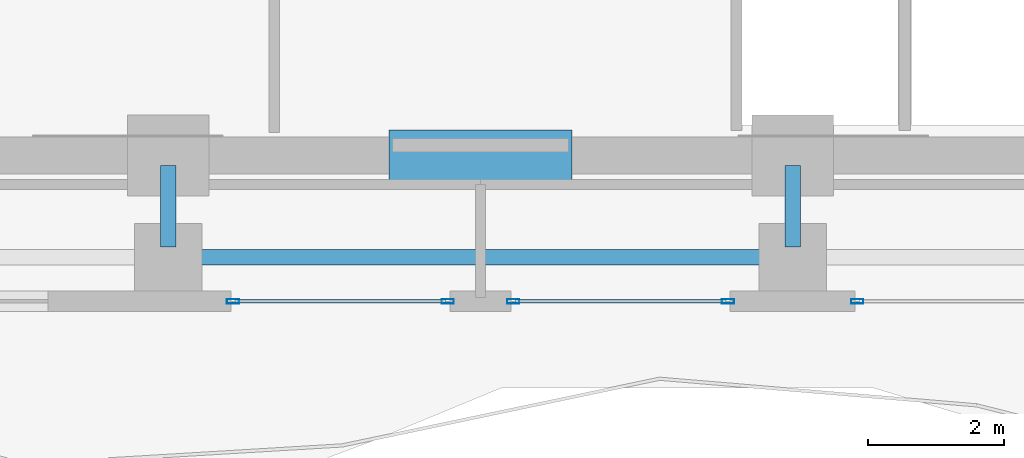
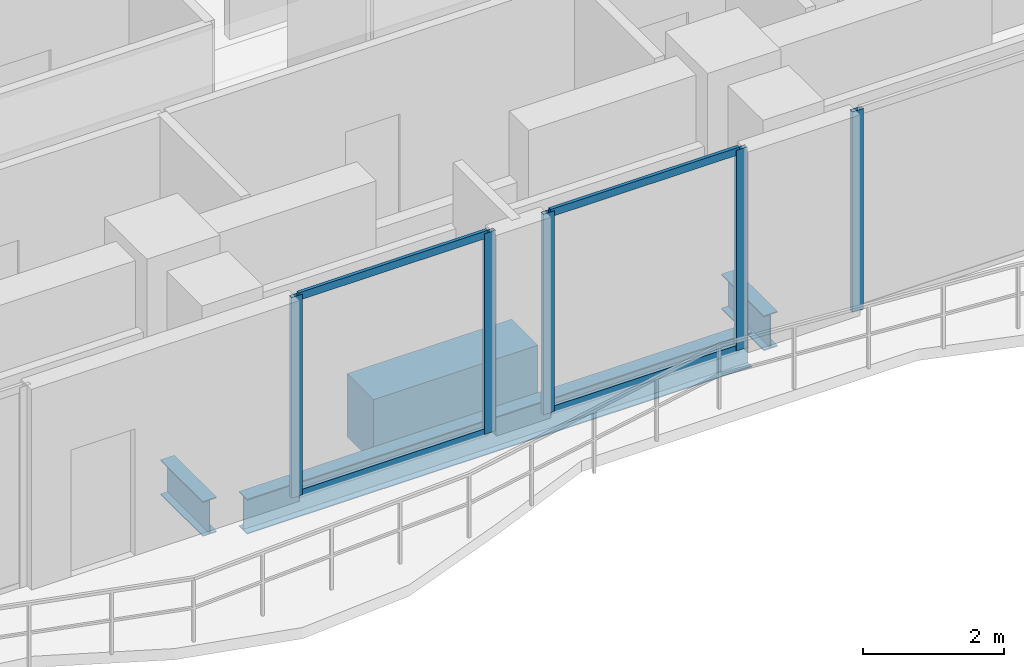
# One storey, part 4 of 24: 9 members, 4 beams, 3 elements without a shape of their own.
"""IFC4 building model written with IfcOpenShell, lengths in metres."""

from ifc_helpers import new_model, si_unit, direction, frame, origin, origin_2d, place, context, subcontext, project, spatial, rectangle, hollow_rectangle, i_section, extrude, material, layer, layer_set, material_profile, profile_set, type_object, element, aggregate, save


model = new_model("IFC4")

# Units and contexts
model_context = context("Model", 3, precision=1e-05, world=origin(), true_north=direction((0.0, 1.0)))
body_context = subcontext(model_context, "Body", "Model", "MODEL_VIEW")
ifc_project = project(units=[si_unit("LENGTHUNIT", "METRE"), si_unit("AREAUNIT", "SQUARE_METRE"), si_unit("VOLUMEUNIT", "CUBIC_METRE"), si_unit("PLANEANGLEUNIT", "RADIAN"), si_unit("MASSUNIT", "GRAM", prefix="KILO")], contexts=[model_context])

# Site, building, storey
site_placement = place(None, origin())
site = spatial("IfcSite", under=ifc_project, at=site_placement, CompositionType="ELEMENT")
building_placement = place(site_placement, origin())
building = spatial("IfcBuilding", under=site, at=building_placement, Name="Zuhayl Quay Hotel", CompositionType="ELEMENT")
storey_placement = place(building_placement, frame((0.0, 0.0, 280.35009765625)))
storey = spatial("IfcBuildingStorey", under=building, at=storey_placement, Name="L71", CompositionType="ELEMENT", Elevation=280.35009765625)

# Beams
ifc_material_1 = material(Name="Steel ASTM A992 Grade 50", Category="steel")
ifc_material_profile_1 = material_profile(ifc_material_1, i_section(OverallWidth=0.22802734375, OverallDepth=0.60693359375, WebThickness=0.01123046875, FlangeThickness=0.017333984375, at=origin_2d()), Name="W24X76")
ifc_profile_set_1 = profile_set([ifc_material_profile_1], Name="Steel ASTM A992 Grade 50")
beam_type_1 = type_object("IfcBeamType", Name="BM_B3_W24X76", PredefinedType="BEAM", material=ifc_profile_set_1)
beam_1_placement = place(storey_placement, frame((-4.139892578125, 0.64990234375, -0.523681640625), z_axis=(1.0, 0.0, 0.0), x_axis=(0.0, 1.0, 0.0)))
element("IfcBeam", 1, at=beam_1_placement, inside=storey, type_object=beam_type_1, Name="L71 Floor Beam RG_L71_02", PredefinedType="BEAM", context=body_context, shape_type="SweptSolid", body=[
    extrude(i_section(OverallWidth=0.22802734375, OverallDepth=0.60693359375, WebThickness=0.01123046875, FlangeThickness=0.017333984375, at=origin_2d()), origin(), (0.0, 0.0, 1.0), 8.27978515625),
])
for number, where, z_axis, x_axis, name in (
    (2, (-4.60009765625, 0.800048828125, -0.523681640625), (0.0, 1.0, 0.0), (-1.0, 0.0, 0.0), "L71 Floor Beam FG_S_L71_2"),
    (3, (4.60009765625, 0.800048828125, -0.523681640625), (0.0, 1.0, 0.0), (-1.0, 0.0, 0.0), "L71 Floor Beam FG_S_L71_3"),
):
    element("IfcBeam", number, at=place(storey_placement, frame(where, z_axis=z_axis, x_axis=x_axis)), inside=storey, type_object=beam_type_1, Name=name, PredefinedType="BEAM", context=body_context, shape_type="SweptSolid", body=[
        extrude(i_section(OverallWidth=0.22802734375, OverallDepth=0.60693359375, WebThickness=0.01123046875, FlangeThickness=0.017333984375, at=origin_2d()), origin(), (0.0, 0.0, 1.0), 1.199951171875),
    ])
ifc_material_2 = material(Name="Concrete C60/75", Category="concrete")
ifc_material_profile_2 = material_profile(ifc_material_2, rectangle(XDim=0.75, YDim=1.10009765625, at=origin_2d()), Name="RC750X1100")
ifc_profile_set_2 = profile_set([ifc_material_profile_2], Name="Concrete C60/75")
beam_type_2 = type_object("IfcBeamType", Name="BM_CB2_RC750", PredefinedType="T_BEAM", material=ifc_profile_set_2)
beam_2_placement = place(storey_placement, frame((-1.35009765625, 2.14990234375, -0.77001953125), z_axis=(1.0, 0.0, 0.0), x_axis=(0.0, 1.0, 0.0)))
element("IfcBeam", 4, at=beam_2_placement, inside=storey, type_object=beam_type_2, Name="L71 Core Coupling Beam South", PredefinedType="T_BEAM", context=body_context, shape_type="SweptSolid", body=[
    extrude(rectangle(XDim=0.75, YDim=1.10009765625, at=origin_2d()), origin(), (0.0, 0.0, 1.0), 2.7001953125),
])

# Curtain wall, member
ifc_material_3 = material(Name="Anodised Aluminium 6063-T6", Category="aluminium")
ifc_layer = layer(ifc_material_3, 0.169921875, Name="Anodised Aluminium 6063-T6", Category="aluminium")
ifc_layer_set = layer_set([ifc_layer], Name="Anodised Aluminium 6063-T6")
curtain_wall_type = type_object("IfcCurtainWallType", Name="CW_SYS_Z4", PredefinedType="USERDEFINED", material=ifc_layer_set)
curtain_wall_1_placement = place(storey_placement, origin())
curtain_wall_1 = element("IfcCurtainWall", 5, at=curtain_wall_1_placement, inside=storey, type_object=curtain_wall_type, Name="L71 Curtain Wall ENV_L71_S_CW1", ObjectType="UNITISED CURTAIN WALL", PredefinedType="USERDEFINED")
ifc_material_4 = material(Name="Black-anodised aluminium 6063-T6", Category="aluminium")
ifc_material_profile_3 = material_profile(ifc_material_4, hollow_rectangle(XDim=0.06494140625, YDim=0.179931640625, WallThickness=0.00341796875, at=origin_2d()), Name="ALU180X65")
ifc_profile_set_3 = profile_set([ifc_material_profile_3], Name="Black-anodised aluminium 6063-T6")
member_type_1 = type_object("IfcMemberType", Name="MB_CW_MUL_180", PredefinedType="MULLION", material=ifc_profile_set_3)
member_1_placement = place(storey_placement, frame((5.552490234375, 0.0, 0.0), z_axis=(0.0, 0.0, 1.0), x_axis=(0.0, -1.0, 0.0)))
member_1 = element("IfcMember", 6, at=member_1_placement, type_object=member_type_1, Name="CW-Z4 mullion 2", PredefinedType="MULLION", context=body_context, shape_type="SweptSolid", body=[
    extrude(hollow_rectangle(XDim=0.06494140625, YDim=0.179931640625, WallThickness=0.00341796875, at=origin_2d()), origin(), (0.0, 0.0, 1.0), 3.47998046875),
])
aggregate(curtain_wall_1, [member_1])

# Curtain wall, members
curtain_wall_2_placement = place(storey_placement, origin())
curtain_wall_2 = element("IfcCurtainWall", 7, at=curtain_wall_2_placement, inside=storey, type_object=curtain_wall_type, Name="L71 Curtain Wall ENV_L71_S_CW2", ObjectType="UNITISED CURTAIN WALL", PredefinedType="USERDEFINED")
member_2_placement = place(storey_placement, frame((3.6474609375, 0.0, 0.0), z_axis=(0.0, 0.0, 1.0), x_axis=(0.0, -1.0, 0.0)))
member_2 = element("IfcMember", 8, at=member_2_placement, type_object=member_type_1, Name="CW-Z4 mullion 1", PredefinedType="MULLION", context=body_context, shape_type="SweptSolid", body=[
    extrude(hollow_rectangle(XDim=0.06494140625, YDim=0.179931640625, WallThickness=0.00341796875, at=origin_2d()), origin(), (0.0, 0.0, 1.0), 3.47998046875),
])
member_3_placement = place(storey_placement, frame((0.482421875, 0.0, 0.0), z_axis=(0.0, 0.0, 1.0), x_axis=(0.0, -1.0, 0.0)))
member_3 = element("IfcMember", 9, at=member_3_placement, type_object=member_type_1, Name="CW-Z4 mullion 2", PredefinedType="MULLION", context=body_context, shape_type="SweptSolid", body=[
    extrude(hollow_rectangle(XDim=0.06494140625, YDim=0.179931640625, WallThickness=0.00341796875, at=origin_2d()), origin(), (0.0, 0.0, 1.0), 3.47998046875),
])

curtain_wall_3_placement = place(storey_placement, origin())
curtain_wall_3 = element("IfcCurtainWall", 10, at=curtain_wall_3_placement, inside=storey, type_object=curtain_wall_type, Name="L71 Curtain Wall ENV_L71_S_CW3", ObjectType="UNITISED CURTAIN WALL", PredefinedType="USERDEFINED")
member_4_placement = place(storey_placement, frame((-0.482421875, 0.0, 0.0), z_axis=(0.0, 0.0, 1.0), x_axis=(0.0, -1.0, 0.0)))
member_4 = element("IfcMember", 11, at=member_4_placement, type_object=member_type_1, Name="CW-Z4 mullion 1", PredefinedType="MULLION", context=body_context, shape_type="SweptSolid", body=[
    extrude(hollow_rectangle(XDim=0.06494140625, YDim=0.179931640625, WallThickness=0.00341796875, at=origin_2d()), origin(), (0.0, 0.0, 1.0), 3.47998046875),
])
member_5_placement = place(storey_placement, frame((-3.6474609375, 0.0, 0.0), z_axis=(0.0, 0.0, 1.0), x_axis=(0.0, -1.0, 0.0)))
member_5 = element("IfcMember", 12, at=member_5_placement, type_object=member_type_1, Name="CW-Z4 mullion 2", PredefinedType="MULLION", context=body_context, shape_type="SweptSolid", body=[
    extrude(hollow_rectangle(XDim=0.06494140625, YDim=0.179931640625, WallThickness=0.00341796875, at=origin_2d()), origin(), (0.0, 0.0, 1.0), 3.47998046875),
])

# Member
ifc_material_profile_4 = material_profile(ifc_material_4, hollow_rectangle(XDim=0.054931640625, YDim=0.1298828125, WallThickness=0.0029296875, at=origin_2d()), Name="ALU130X55")
ifc_profile_set_4 = profile_set([ifc_material_profile_4], Name="Black-anodised aluminium 6063-T6")
member_type_2 = type_object("IfcMemberType", Name="MB_CW_TRN_130", PredefinedType="USERDEFINED", material=ifc_profile_set_4)
member_6_placement = place(storey_placement, frame((3.614990234375, 0.0, 0.02734375), z_axis=(-1.0, 0.0, 0.0), x_axis=(0.0, -1.0, 0.0)))
member_6 = element("IfcMember", 13, at=member_6_placement, type_object=member_type_2, Name="CW-Z4 transom 1.1", ObjectType="TRANSOM", PredefinedType="USERDEFINED", context=body_context, shape_type="SweptSolid", body=[
    extrude(hollow_rectangle(XDim=0.054931640625, YDim=0.1298828125, WallThickness=0.0029296875, at=origin_2d()), origin(), (0.0, 0.0, 1.0), 3.10009765625),
])

member_7_placement = place(storey_placement, frame((3.614990234375, 0.0, 3.452392578125), z_axis=(-1.0, 0.0, 0.0), x_axis=(0.0, -1.0, 0.0)))
member_7 = element("IfcMember", 14, at=member_7_placement, type_object=member_type_2, Name="CW-Z4 transom 1.2", ObjectType="TRANSOM", PredefinedType="USERDEFINED", context=body_context, shape_type="SweptSolid", body=[
    extrude(hollow_rectangle(XDim=0.054931640625, YDim=0.1298828125, WallThickness=0.0029296875, at=origin_2d()), origin(), (0.0, 0.0, 1.0), 3.10009765625),
])

aggregate(curtain_wall_2, [member_2, member_3, member_6, member_7])

member_8_placement = place(storey_placement, frame((-0.514892578125, 0.0, 0.02734375), z_axis=(-1.0, 0.0, 0.0), x_axis=(0.0, -1.0, 0.0)))
member_8 = element("IfcMember", 15, at=member_8_placement, type_object=member_type_2, Name="CW-Z4 transom 1.1", ObjectType="TRANSOM", PredefinedType="USERDEFINED", context=body_context, shape_type="SweptSolid", body=[
    extrude(hollow_rectangle(XDim=0.054931640625, YDim=0.1298828125, WallThickness=0.0029296875, at=origin_2d()), origin(), (0.0, 0.0, 1.0), 3.10009765625),
])

member_9_placement = place(storey_placement, frame((-0.514892578125, 0.0, 3.452392578125), z_axis=(-1.0, 0.0, 0.0), x_axis=(0.0, -1.0, 0.0)))
member_9 = element("IfcMember", 16, at=member_9_placement, type_object=member_type_2, Name="CW-Z4 transom 1.2", ObjectType="TRANSOM", PredefinedType="USERDEFINED", context=body_context, shape_type="SweptSolid", body=[
    extrude(hollow_rectangle(XDim=0.054931640625, YDim=0.1298828125, WallThickness=0.0029296875, at=origin_2d()), origin(), (0.0, 0.0, 1.0), 3.10009765625),
])

aggregate(curtain_wall_3, [member_4, member_5, member_8, member_9])

save(model, "model.ifc")
